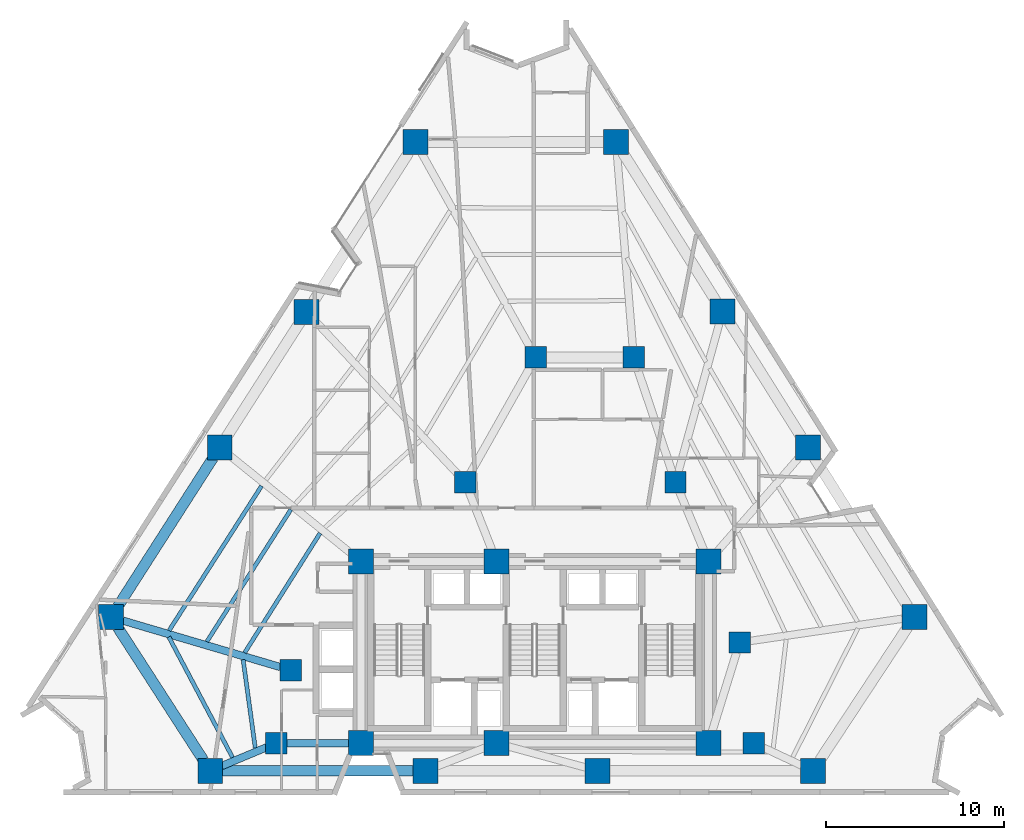
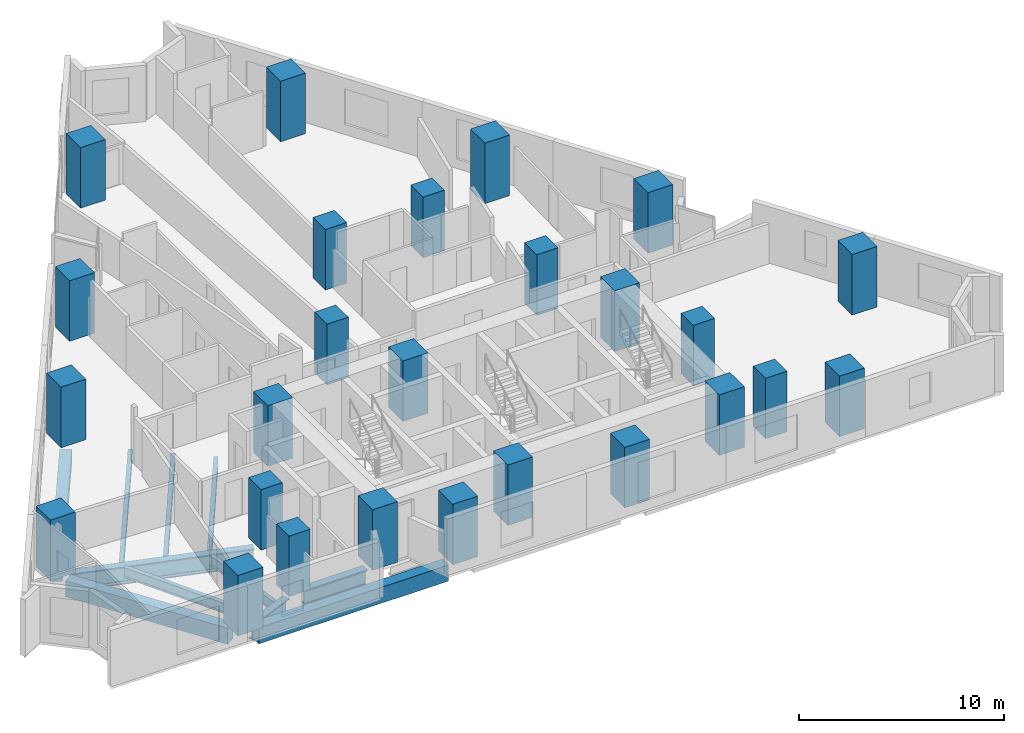
# One storey, part 1 of 12: 26 columns, 11 beams.
"""IFC4 building model written with IfcOpenShell, lengths in metres."""

from ifc_helpers import new_model, si_unit, direction, frame, origin, origin_2d, place, context, subcontext, project, spatial, rectangle, i_section, extrude, material, material_profile, profile_set, type_object, element, save


model = new_model("IFC4")

# Units and contexts
model_context = context("Model", 3, precision=1e-05, world=origin(), true_north=direction((0.0, 1.0)))
body_context = subcontext(model_context, "Body", "Model", "MODEL_VIEW")
ifc_project = project(units=[si_unit("LENGTHUNIT", "METRE"), si_unit("AREAUNIT", "SQUARE_METRE"), si_unit("VOLUMEUNIT", "CUBIC_METRE"), si_unit("PLANEANGLEUNIT", "RADIAN"), si_unit("MASSUNIT", "GRAM", prefix="KILO")], contexts=[model_context])

# Site, building, storey
site_placement = place(None, origin())
site = spatial("IfcSite", under=ifc_project, at=site_placement, CompositionType="ELEMENT")
building_placement = place(site_placement, origin())
building = spatial("IfcBuilding", under=site, at=building_placement, Name="Almagre Mirador Tower", CompositionType="ELEMENT")
storey_placement = place(building_placement, frame((0.0, 0.0, 64.199951171875)))
storey = spatial("IfcBuildingStorey", under=building, at=storey_placement, Name="L15", CompositionType="ELEMENT", Elevation=64.199951171875)

# Columns
ifc_material_1 = material(Name="Concrete C60/75", Category="concrete")
ifc_material_profile_1 = material_profile(ifc_material_1, rectangle(XDim=1.199951171875, YDim=1.199951171875, at=origin_2d()), Name="RC1200X1200")
ifc_profile_set_1 = profile_set([ifc_material_profile_1], Name="Concrete C60/75")
column_type_1 = type_object("IfcColumnType", Name="COL-RC1200", PredefinedType="COLUMN", material=ifc_profile_set_1)
for number, where, z_axis, x_axis, name in (
    (1, (22.800048828125, 4.550048828125, 0.0), (0.0, 0.0, 1.0), (1.0, 0.0, 0.0), "L15 interior transfer column MC1"),
    (2, (49.60009765625, 4.550048828125, 0.0), (0.0, 0.0, 1.0), (1.0, 0.0, 0.0), "L15 interior transfer column MC2"),
    (3, (48.800048828125, 10.199951171875, 0.0), (0.0, 0.0, 1.0), (1.0, 0.0, 0.0), "L15 interior transfer column MC3"),
    (4, (45.199951171875, 19.199951171875, 0.0), (0.0, 0.0, 1.0), (1.0, 0.0, 0.0), "L15 interior transfer column MC5"),
    (5, (42.85009765625, 26.199951171875, 0.0), (0.0, 0.0, 1.0), (1.0, 0.0, 0.0), "L15 interior transfer column MC6"),
    (6, (37.35009765625, 26.199951171875, 0.0), (0.0, 0.0, 1.0), (1.0, 0.0, 0.0), "L15 interior transfer column MC7"),
    (7, (33.39990234375, 19.199951171875, 0.0), (0.0, 0.0, 1.0), (1.0, 0.0, 0.0), "L15 interior transfer column MC8"),
    (8, (23.60009765625, 8.64990234375, 0.0), (0.0, 0.0, 1.0), (1.0, 0.0, 0.0), "L15 interior transfer column MC10"),
):
    element("IfcColumn", number, at=place(storey_placement, frame(where, z_axis=z_axis, x_axis=x_axis)), inside=storey, type_object=column_type_1, Name=name, PredefinedType="COLUMN", context=body_context, shape_type="SweptSolid", body=[
        extrude(rectangle(XDim=1.199951171875, YDim=1.199951171875, at=origin_2d()), origin(), (0.0, 0.0, 1.0), 3.60009765625),
    ])
ifc_material_2 = material(Name="Concrete C60/75", Category="concrete")
ifc_material_profile_2 = material_profile(ifc_material_2, rectangle(XDim=1.39990234375, YDim=1.39990234375, at=origin_2d()), Name="RC1400X1400")
ifc_profile_set_2 = profile_set([ifc_material_profile_2], Name="Concrete C60/75")
column_type_2 = type_object("IfcColumnType", Name="COL-RC1400", PredefinedType="COLUMN", material=ifc_profile_set_2)
for number, where, z_axis, x_axis, name in (
    (9, (27.550048828125, 4.550048828125, 0.0), (0.0, 0.0, 1.0), (1.0, 0.0, 0.0), "L15 core spine column CC1"),
    (10, (35.14990234375, 4.550048828125, 0.0), (0.0, 0.0, 1.0), (1.0, 0.0, 0.0), "L15 core spine column CC2"),
    (11, (47.050048828125, 4.550048828125, 0.0), (0.0, 0.0, 1.0), (1.0, 0.0, 0.0), "L15 core spine column CC3"),
    (12, (27.550048828125, 14.75, 0.0), (0.0, 0.0, 1.0), (1.0, 0.0, 0.0), "L15 core spine column CC4"),
    (13, (35.14990234375, 14.75, 0.0), (0.0, 0.0, 1.0), (1.0, 0.0, 0.0), "L15 core spine column CC5"),
    (14, (47.050048828125, 14.75, 0.0), (0.0, 0.0, 1.0), (1.0, 0.0, 0.0), "L15 core spine column CC6"),
    (15, (19.087890625, 3.0, 0.0), (0.0, 0.0, 1.0), (1.0, 0.0, 0.0), "L15 perimeter column PC01"),
    (16, (31.16796875, 3.0, 0.0), (0.0, 0.0, 1.0), (1.0, 0.0, 0.0), "L15 perimeter column PC02"),
    (17, (40.83203125, 3.0, 0.0), (0.0, 0.0, 1.0), (1.0, 0.0, 0.0), "L15 perimeter column PC03"),
    (18, (52.912109375, 3.0, 0.0), (0.0, 0.0, 1.0), (1.0, 0.0, 0.0), "L15 perimeter column PC04"),
    (19, (58.60595703125, 11.634033203125, 0.0), (0.0, 0.0, 1.0), (1.0, 0.0, 0.0), "L15 perimeter column PC05"),
    (20, (52.6259765625, 21.154052734375, 0.0), (0.0, 0.0, 1.0), (1.0, 0.0, 0.0), "L15 perimeter column PC06"),
    (21, (47.842041015625, 28.77001953125, 0.0), (0.0, 0.0, 1.0), (1.0, 0.0, 0.0), "L15 perimeter column PC07"),
    (22, (41.862060546875, 38.2900390625, 0.0), (0.0, 0.0, 1.0), (1.0, 0.0, 0.0), "L15 perimeter column PC08"),
    (23, (30.60009765625, 38.281005859375, 0.0), (0.0, 0.0, 1.0), (1.0, 0.0, 0.0), "L15 perimeter column PC09"),
    (24, (24.5, 28.760986328125, 0.0), (0.0, 0.0, 1.0), (1.0, 0.0, 0.0), "L15 perimeter column PC10"),
    (25, (19.6201171875, 21.14501953125, 0.0), (0.0, 0.0, 1.0), (1.0, 0.0, 0.0), "L15 perimeter column PC11"),
    (26, (13.52001953125, 11.625, 0.0), (0.0, 0.0, 1.0), (1.0, 0.0, 0.0), "L15 perimeter column PC12"),
):
    element("IfcColumn", number, at=place(storey_placement, frame(where, z_axis=z_axis, x_axis=x_axis)), inside=storey, type_object=column_type_2, Name=name, PredefinedType="COLUMN", context=body_context, shape_type="SweptSolid", body=[
        extrude(rectangle(XDim=1.39990234375, YDim=1.39990234375, at=origin_2d()), origin(), (0.0, 0.0, 1.0), 3.60009765625),
    ])

# Beams
ifc_material_3 = material(Name="Steel ASTM A992 Grade 50", Category="steel")
ifc_material_profile_3 = material_profile(ifc_material_3, i_section(OverallWidth=0.22802734375, OverallDepth=0.60791015625, WebThickness=0.01123046875, FlangeThickness=0.017333984375, FilletRadius=0.02001953125, at=origin_2d()), Name="W24X76")
ifc_profile_set_3 = profile_set([ifc_material_profile_3], Name="Steel ASTM A992 Grade 50")
beam_type_1 = type_object("IfcBeamType", Name="BM-JST-W24X76", PredefinedType="JOIST", material=ifc_profile_set_3)
beam_1_placement = place(storey_placement, frame((21.96728515625, 18.984619140625, -0.553955078125), z_axis=(-0.538939298543, -0.842344604355, 0.0), x_axis=(0.842344604355, -0.538939298543, 0.0)))
element("IfcBeam", 27, at=beam_1_placement, inside=storey, type_object=beam_type_1, Name="L15 secondary floor joist PC11-PC12.1", PredefinedType="JOIST", context=body_context, shape_type="SweptSolid", body=[
    extrude(i_section(OverallWidth=0.22802734375, OverallDepth=0.60791015625, WebThickness=0.01123046875, FlangeThickness=0.017333984375, FilletRadius=0.02001953125, at=origin_2d()), origin(), (0.0, 0.0, 1.0), 9.62939453125),
])
beam_2_placement = place(storey_placement, frame((23.609375, 17.660400390625, -0.553955078125), z_axis=(-0.536506743166, -0.843896033015, 0.0), x_axis=(0.843896033015, -0.536506743166, 0.0)))
element("IfcBeam", 28, at=beam_2_placement, inside=storey, type_object=beam_type_1, Name="L15 secondary floor joist PC11-PC12.2", PredefinedType="JOIST", context=body_context, shape_type="SweptSolid", body=[
    extrude(i_section(OverallWidth=0.22802734375, OverallDepth=0.60791015625, WebThickness=0.01123046875, FlangeThickness=0.017333984375, FilletRadius=0.02001953125, at=origin_2d()), origin(), (0.0, 0.0, 1.0), 8.783447265625),
])
beam_3_placement = place(storey_placement, frame((25.251708984375, 16.336181640625, -0.553955078125), z_axis=(-0.533571707058, -0.845754830567, 0.0), x_axis=(0.845754830567, -0.533571707058, 0.0)))
element("IfcBeam", 29, at=beam_3_placement, inside=storey, type_object=beam_type_1, Name="L15 secondary floor joist PC11-PC12.3", PredefinedType="JOIST", context=body_context, shape_type="SweptSolid", body=[
    extrude(i_section(OverallWidth=0.22802734375, OverallDepth=0.60791015625, WebThickness=0.01123046875, FlangeThickness=0.017333984375, FilletRadius=0.02001953125, at=origin_2d()), origin(), (0.0, 0.0, 1.0), 7.937744140625),
])
beam_4_placement = place(storey_placement, frame((16.7626953125, 10.51171875, -0.553955078125), z_axis=(0.467494738831, -0.88399585359, 0.0), x_axis=(0.88399585359, 0.467494738831, 0.0)))
element("IfcBeam", 30, at=beam_4_placement, inside=storey, type_object=beam_type_1, Name="L15 secondary floor joist PC12-PC01.1", PredefinedType="JOIST", context=body_context, shape_type="SweptSolid", body=[
    extrude(i_section(OverallWidth=0.22802734375, OverallDepth=0.60791015625, WebThickness=0.01123046875, FlangeThickness=0.017333984375, FilletRadius=0.02001953125, at=origin_2d()), origin(), (0.0, 0.0, 1.0), 7.650634765625),
])
beam_5_placement = place(storey_placement, frame((20.93310546875, 9.238037109375, -0.553955078125), z_axis=(0.136056923339, -0.990701021303, 0.0), x_axis=(0.990701021303, 0.136056923339, 0.0)))
element("IfcBeam", 31, at=beam_5_placement, inside=storey, type_object=beam_type_1, Name="L15 secondary floor joist PC12-PC01.3", PredefinedType="JOIST", context=body_context, shape_type="SweptSolid", body=[
    extrude(i_section(OverallWidth=0.22802734375, OverallDepth=0.60791015625, WebThickness=0.01123046875, FlangeThickness=0.017333984375, FilletRadius=0.02001953125, at=origin_2d()), origin(), (0.0, 0.0, 1.0), 5.010009765625),
])
ifc_material_4 = material(Name="Precast concrete C50/60", Category="concrete")
ifc_material_profile_4 = material_profile(ifc_material_4, rectangle(XDim=0.60009765625, YDim=0.949951171875, at=origin_2d()), Name="RC600X950")
ifc_profile_set_4 = profile_set([ifc_material_profile_4], Name="Precast concrete C50/60")
beam_type_2 = type_object("IfcBeamType", Name="BM-SPN-RC600X950", PredefinedType="SPANDREL", material=ifc_profile_set_4)
beam_6_placement = place(storey_placement, frame((19.7880859375, 3.0, -0.724853515625), z_axis=(1.0, 0.0, 0.0), x_axis=(0.0, 1.0, 0.0)))
element("IfcBeam", 32, at=beam_6_placement, inside=storey, type_object=beam_type_2, Name="L15 perimeter spandrel beam PC01-PC02", PredefinedType="SPANDREL", context=body_context, shape_type="SweptSolid", body=[
    extrude(rectangle(XDim=0.60009765625, YDim=0.949951171875, at=origin_2d()), origin(), (0.0, 0.0, 1.0), 10.679931640625),
])
beam_7_placement = place(storey_placement, frame((19.2421875, 20.5556640625, -0.724853515625), z_axis=(-0.539486507438, -0.84199424481, 0.0), x_axis=(0.84199424481, -0.539486507438, 0.0)))
element("IfcBeam", 33, at=beam_7_placement, inside=storey, type_object=beam_type_2, Name="L15 perimeter spandrel beam PC11-PC12", PredefinedType="SPANDREL", context=body_context, shape_type="SweptSolid", body=[
    extrude(rectangle(XDim=0.60009765625, YDim=0.949951171875, at=origin_2d()), origin(), (0.0, 0.0, 1.0), 9.906494140625),
])
beam_8_placement = place(storey_placement, frame((13.899658203125, 11.036865234375, -0.724853515625), z_axis=(0.542362680712, -0.840144465298, 0.0), x_axis=(0.840144465298, 0.542362680712, 0.0)))
element("IfcBeam", 34, at=beam_8_placement, inside=storey, type_object=beam_type_2, Name="L15 perimeter spandrel beam PC12-PC01", PredefinedType="SPANDREL", context=body_context, shape_type="SweptSolid", body=[
    extrude(rectangle(XDim=0.60009765625, YDim=0.949951171875, at=origin_2d()), origin(), (0.0, 0.0, 1.0), 8.865966796875),
])
ifc_material_5 = material(Name="Steel ASTM A992 Grade 50", Category="steel")
ifc_material_profile_5 = material_profile(ifc_material_5, i_section(OverallWidth=0.43701171875, OverallDepth=1.010986328125, WebThickness=0.041015625, FlangeThickness=0.073974609375, FilletRadius=0.028076171875, at=origin_2d()), Name="W36X529")
ifc_profile_set_5 = profile_set([ifc_material_profile_5], Name="Steel ASTM A992 Grade 50")
beam_type_3 = type_object("IfcBeamType", Name="BM-STL-W36X529", PredefinedType="BEAM", material=ifc_profile_set_5)
beam_9_placement = place(storey_placement, frame((23.39990234375, 4.550048828125, -0.75537109375), z_axis=(1.0, 0.0, 0.0), x_axis=(0.0, 1.0, 0.0)))
element("IfcBeam", 35, at=beam_9_placement, inside=storey, type_object=beam_type_3, Name="L15 core tie girder MC1-CC1", PredefinedType="BEAM", context=body_context, shape_type="SweptSolid", body=[
    extrude(i_section(OverallWidth=0.43701171875, OverallDepth=1.010986328125, WebThickness=0.041015625, FlangeThickness=0.073974609375, FilletRadius=0.028076171875, at=origin_2d()), origin(), (0.0, 0.0, 1.0), 3.4501953125),
])
ifc_material_6 = material(Name="Steel ASTM A913 Grade 65", Category="steel")
ifc_material_profile_6 = material_profile(ifc_material_6, i_section(OverallWidth=0.4189453125, OverallDepth=1.041015625, WebThickness=0.031005859375, FlangeThickness=0.055908203125, FilletRadius=0.030029296875, at=origin_2d()), Name="W40X397")
ifc_profile_set_6 = profile_set([ifc_material_profile_6], Name="Steel ASTM A913 Grade 65")
beam_type_4 = type_object("IfcBeamType", Name="BM-STL-W40X397", PredefinedType="BEAM", material=ifc_profile_set_6)
beam_10_placement = place(storey_placement, frame((19.73388671875, 3.269775390625, -0.7705078125), z_axis=(0.922787491729, 0.385309285002, 0.0), x_axis=(-0.385309285002, 0.922787491729, 0.0)))
element("IfcBeam", 36, at=beam_10_placement, inside=storey, type_object=beam_type_4, Name="L15 radial floor girder PC01-MC1", PredefinedType="BEAM", context=body_context, shape_type="SweptSolid", body=[
    extrude(i_section(OverallWidth=0.4189453125, OverallDepth=1.041015625, WebThickness=0.031005859375, FlangeThickness=0.055908203125, FilletRadius=0.030029296875, at=origin_2d()), origin(), (0.0, 0.0, 1.0), 2.72265625),
])
beam_11_placement = place(storey_placement, frame((14.19140625, 11.427001953125, -0.7705078125), z_axis=(0.95909363652, -0.28308902555, 0.0), x_axis=(0.28308902555, 0.95909363652, 0.0)))
element("IfcBeam", 37, at=beam_11_placement, inside=storey, type_object=beam_type_4, Name="L15 radial floor girder PC12-MC10", PredefinedType="BEAM", context=body_context, shape_type="SweptSolid", body=[
    extrude(i_section(OverallWidth=0.4189453125, OverallDepth=1.041015625, WebThickness=0.031005859375, FlangeThickness=0.055908203125, FilletRadius=0.030029296875, at=origin_2d()), origin(), (0.0, 0.0, 1.0), 9.209716796875),
])

save(model, "model.ifc")
